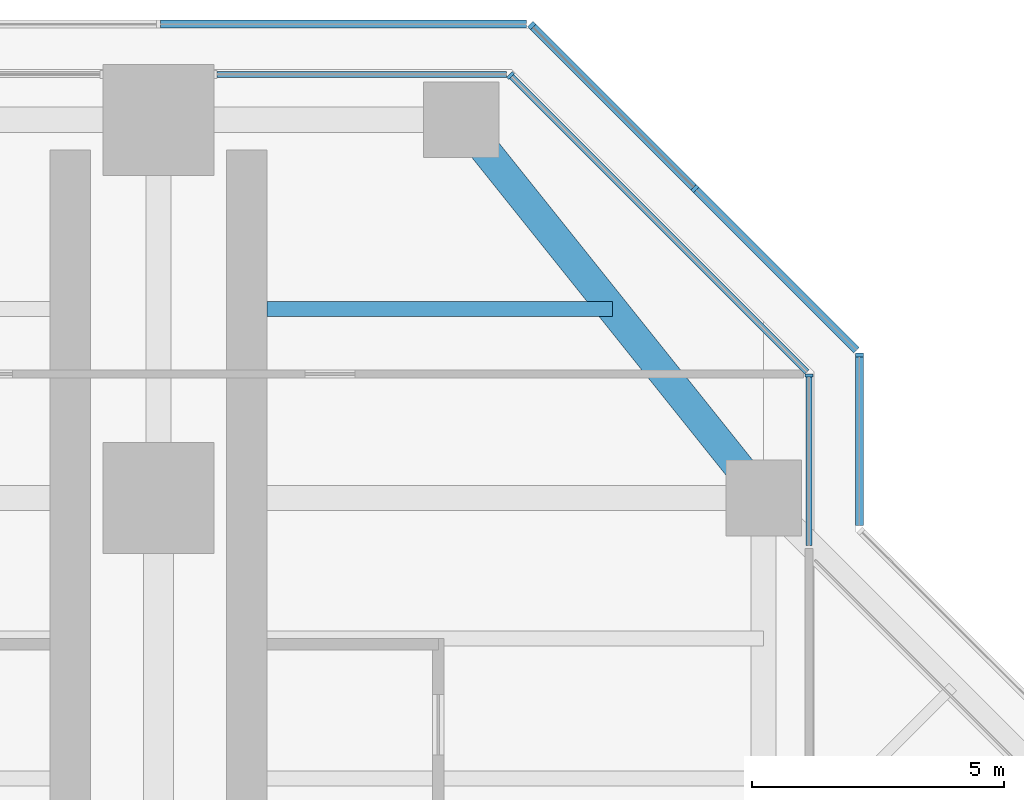
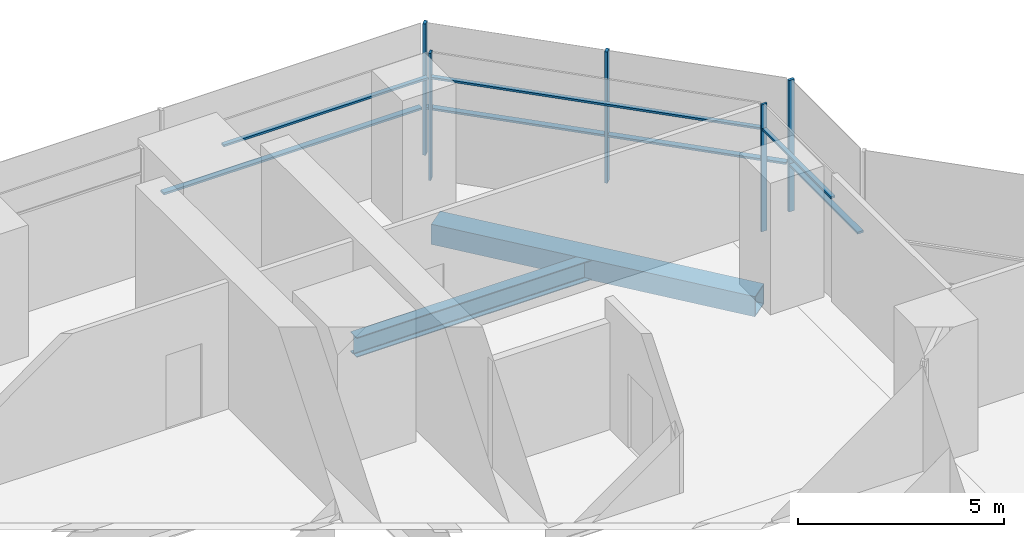
# One storey, part 9 of 17: 12 members, 2 beams, 6 elements without a shape of their own.
"""IFC4 building model written with IfcOpenShell, lengths in metres."""

from ifc_helpers import new_model, si_unit, direction, frame, origin, origin_2d, place, context, subcontext, project, spatial, rectangle, hollow_rectangle, i_section, extrude, material, material_profile, profile_set, type_object, element, aggregate, save


model = new_model("IFC4")

# Units and contexts
model_context = context("Model", 3, precision=1e-05, world=origin(), true_north=direction((0.0, 1.0)))
body_context = subcontext(model_context, "Body", "Model", "MODEL_VIEW")
ifc_project = project(units=[si_unit("LENGTHUNIT", "METRE"), si_unit("AREAUNIT", "SQUARE_METRE"), si_unit("VOLUMEUNIT", "CUBIC_METRE"), si_unit("PLANEANGLEUNIT", "RADIAN"), si_unit("MASSUNIT", "GRAM", prefix="KILO")], contexts=[model_context])

# Site, building, storey
site_placement = place(None, origin())
site = spatial("IfcSite", under=ifc_project, at=site_placement, CompositionType="ELEMENT")
building_placement = place(site_placement, origin())
building = spatial("IfcBuilding", under=site, at=building_placement, Name="Mizan Broadcast Tower", CompositionType="ELEMENT")
storey_placement = place(building_placement, frame((0.0, 0.0, 232.199951171875)))
storey = spatial("IfcBuildingStorey", under=building, at=storey_placement, Name="L54", CompositionType="ELEMENT", Elevation=232.199951171875)

# Beam
ifc_material_1 = material(Name="Steel S355", Category="steel")
ifc_material_profile_1 = material_profile(ifc_material_1, hollow_rectangle(XDim=0.60009765625, YDim=0.60009765625, WallThickness=0.030029296875, at=origin_2d()), Name="BOX 600x600x30")
ifc_profile_set_1 = profile_set([ifc_material_profile_1], Name="Steel S355")
beam_type_1 = type_object("IfcBeamType", Name="EDGE BEAM BOX 600x600x30", PredefinedType="SPANDREL", material=ifc_profile_set_1)
beam_1_placement = place(storey_placement, frame((11.639892578125, 19.949951171875, -0.429931640625), z_axis=(-0.624673911726, 0.780885717636, 0.0), x_axis=(-0.780885717636, -0.624673911726, 0.0)))
element("IfcBeam", 1, at=beam_1_placement, inside=storey, type_object=beam_type_1, Name="Edge beam BOX 600x600x30 L54 north arm", PredefinedType="SPANDREL", context=body_context, shape_type="SweptSolid", body=[
    extrude(hollow_rectangle(XDim=0.60009765625, YDim=0.60009765625, WallThickness=0.030029296875, at=origin_2d()), origin(), (0.0, 0.0, 1.0), 8.4521484375),
])

# Curtain wall, member
ifc_material_2 = material(Name="Aluminium framed glazing", Category="aluminium")
curtain_wall_type_1 = type_object("IfcCurtainWallType", Name="INNER SKIN HIGH ZONE", PredefinedType="USERDEFINED", material=ifc_material_2)
curtain_wall_1_placement = place(storey_placement, origin())
curtain_wall_1 = element("IfcCurtainWall", 2, at=curtain_wall_1_placement, inside=storey, type_object=curtain_wall_type_1, Name="Inner skin high zone L54 N side", ObjectType="INNER SKIN HIGH ZONE", PredefinedType="USERDEFINED")
ifc_material_3 = material(Name="Aluminium, pale anodised", Category="aluminium")
ifc_material_profile_2 = material_profile(ifc_material_3, rectangle(XDim=0.159912109375, YDim=0.06005859375, at=origin_2d()), Name="MULLION 160x60")
ifc_profile_set_2 = profile_set([ifc_material_profile_2], Name="Aluminium, pale anodised")
member_type_1 = type_object("IfcMemberType", Name="INNER SKIN MULLION 60x160", PredefinedType="MULLION", material=ifc_profile_set_2)
member_1_placement = place(storey_placement, frame((12.89990234375, 21.928466796875, 0.0), z_axis=(0.0, 0.0, 1.0), x_axis=(-1.0, 0.0, 0.0)))
member_1 = element("IfcMember", 3, at=member_1_placement, type_object=member_type_1, Name="Inner skin high zone L54 N side mullion 2", PredefinedType="MULLION", context=body_context, shape_type="SweptSolid", body=[
    extrude(rectangle(XDim=0.159912109375, YDim=0.06005859375, at=origin_2d()), origin(), (0.0, 0.0, 1.0), 3.77001953125),
])

curtain_wall_2_placement = place(storey_placement, origin())
curtain_wall_2 = element("IfcCurtainWall", 4, at=curtain_wall_2_placement, inside=storey, type_object=curtain_wall_type_1, Name="Inner skin high zone L54 N chamfer", ObjectType="INNER SKIN HIGH ZONE", PredefinedType="USERDEFINED")
member_2_placement = place(storey_placement, frame((6.979736328125, 27.87890625, 0.0), z_axis=(0.0, 0.0, 1.0), x_axis=(-0.707106781187, -0.707106781187, 0.0)))
member_2 = element("IfcMember", 5, at=member_2_placement, type_object=member_type_1, Name="Inner skin high zone L54 N chamfer mullion 2", PredefinedType="MULLION", context=body_context, shape_type="SweptSolid", body=[
    extrude(rectangle(XDim=0.159912109375, YDim=0.06005859375, at=origin_2d()), origin(), (0.0, 0.0, 1.0), 3.77001953125),
])

# Member
ifc_material_4 = material(Name="Aluminium, pale anodised", Category="aluminium")
ifc_material_profile_3 = material_profile(ifc_material_4, rectangle(XDim=0.1201171875, YDim=0.06005859375, at=origin_2d()), Name="TRANSOM 120x60")
ifc_profile_set_3 = profile_set([ifc_material_profile_3], Name="Aluminium, pale anodised")
member_type_2 = type_object("IfcMemberType", Name="INNER SKIN TRANSOM 60x120", PredefinedType="USERDEFINED", material=ifc_profile_set_3)
member_3_placement = place(storey_placement, frame((12.89990234375, 18.56005859375, 3.030029296875), z_axis=(0.0, 1.0, 0.0), x_axis=(-1.0, 0.0, 0.0)))
member_3 = element("IfcMember", 6, at=member_3_placement, type_object=member_type_2, Name="Inner skin high zone L54 N side transom 1.1", ObjectType="TRANSOM", PredefinedType="USERDEFINED", context=body_context, shape_type="SweptSolid", body=[
    extrude(rectangle(XDim=0.1201171875, YDim=0.06005859375, at=origin_2d()), origin(), (0.0, 0.0, 1.0), 3.338623046875),
])

aggregate(curtain_wall_1, [member_1, member_3])

member_4_placement = place(storey_placement, frame((12.857666015625, 22.0009765625, 3.030029296875), z_axis=(-0.707106781187, 0.707106781187, 0.0), x_axis=(-0.707106781187, -0.707106781187, 0.0)))
member_4 = element("IfcMember", 7, at=member_4_placement, type_object=member_type_2, Name="Inner skin high zone L54 N chamfer transom 1.1", ObjectType="TRANSOM", PredefinedType="USERDEFINED", context=body_context, shape_type="SweptSolid", body=[
    extrude(rectangle(XDim=0.1201171875, YDim=0.06005859375, at=origin_2d()), origin(), (0.0, 0.0, 1.0), 8.28271484375),
])

aggregate(curtain_wall_2, [member_2, member_4])

# Curtain wall, member
curtain_wall_3_placement = place(storey_placement, origin())
curtain_wall_3 = element("IfcCurtainWall", 8, at=curtain_wall_3_placement, inside=storey, type_object=curtain_wall_type_1, Name="Inner skin high zone L54 N end", ObjectType="INNER SKIN HIGH ZONE", PredefinedType="USERDEFINED")
member_5_placement = place(storey_placement, frame((6.898681640625, 27.89990234375, 3.030029296875), z_axis=(-1.0, 0.0, 0.0), x_axis=(0.0, -1.0, 0.0)))
member_5 = element("IfcMember", 9, at=member_5_placement, type_object=member_type_2, Name="Inner skin high zone L54 N end transom 1.1", ObjectType="TRANSOM", PredefinedType="USERDEFINED", context=body_context, shape_type="SweptSolid", body=[
    extrude(rectangle(XDim=0.1201171875, YDim=0.06005859375, at=origin_2d()), origin(), (0.0, 0.0, 1.0), 5.73876953125),
])
aggregate(curtain_wall_3, [member_5])

ifc_material_5 = material(Name="Aluminium framed glazing", Category="aluminium")
curtain_wall_type_2 = type_object("IfcCurtainWallType", Name="OUTER SKIN", PredefinedType="USERDEFINED", material=ifc_material_5)
curtain_wall_4_placement = place(storey_placement, origin())
curtain_wall_4 = element("IfcCurtainWall", 10, at=curtain_wall_4_placement, inside=storey, type_object=curtain_wall_type_2, Name="Outer skin L54 N side", ObjectType="OUTER SKIN", PredefinedType="USERDEFINED")
ifc_material_6 = material(Name="Aluminium, pale anodised", Category="aluminium")
ifc_material_profile_4 = material_profile(ifc_material_6, rectangle(XDim=0.159912109375, YDim=0.080078125, at=origin_2d()), Name="MULLION 160x80")
ifc_profile_set_4 = profile_set([ifc_material_profile_4], Name="Aluminium, pale anodised")
member_type_3 = type_object("IfcMemberType", Name="OUTER SKIN MULLION 80x160", PredefinedType="MULLION", material=ifc_profile_set_4)
member_6_placement = place(storey_placement, frame((13.89990234375, 22.332763671875, 0.0), z_axis=(0.0, 0.0, 1.0), x_axis=(-1.0, 0.0, 0.0)))
member_6 = element("IfcMember", 11, at=member_6_placement, type_object=member_type_3, Name="Outer skin L54 N side mullion 2", PredefinedType="MULLION", context=body_context, shape_type="SweptSolid", body=[
    extrude(rectangle(XDim=0.159912109375, YDim=0.080078125, at=origin_2d()), origin(), (0.0, 0.0, 1.0), 3.900146484375),
])

# Curtain wall, members
curtain_wall_5_placement = place(storey_placement, origin())
curtain_wall_5 = element("IfcCurtainWall", 12, at=curtain_wall_5_placement, inside=storey, type_object=curtain_wall_type_2, Name="Outer skin L54 N chamfer", ObjectType="OUTER SKIN", PredefinedType="USERDEFINED")
member_7_placement = place(storey_placement, frame((10.636474609375, 25.636474609375, 0.0), z_axis=(0.0, 0.0, 1.0), x_axis=(-0.707106781187, -0.707106781187, 0.0)))
member_7 = element("IfcMember", 13, at=member_7_placement, type_object=member_type_3, Name="Outer skin L54 N chamfer mullion 2", PredefinedType="MULLION", context=body_context, shape_type="SweptSolid", body=[
    extrude(rectangle(XDim=0.159912109375, YDim=0.080078125, at=origin_2d()), origin(), (0.0, 0.0, 1.0), 3.900146484375),
])
member_8_placement = place(storey_placement, frame((7.401123046875, 28.871826171875, 0.0), z_axis=(0.0, 0.0, 1.0), x_axis=(-0.707106781187, -0.707106781187, 0.0)))
member_8 = element("IfcMember", 14, at=member_8_placement, type_object=member_type_3, Name="Outer skin L54 N chamfer mullion 3", PredefinedType="MULLION", context=body_context, shape_type="SweptSolid", body=[
    extrude(rectangle(XDim=0.159912109375, YDim=0.080078125, at=origin_2d()), origin(), (0.0, 0.0, 1.0), 3.900146484375),
])

# Member
ifc_material_7 = material(Name="Aluminium, pale anodised", Category="aluminium")
ifc_material_profile_5 = material_profile(ifc_material_7, rectangle(XDim=0.159912109375, YDim=0.06005859375, at=origin_2d()), Name="TRANSOM 160x60")
ifc_profile_set_5 = profile_set([ifc_material_profile_5], Name="Aluminium, pale anodised")
member_type_4 = type_object("IfcMemberType", Name="OUTER SKIN TRANSOM 60x160", PredefinedType="USERDEFINED", material=ifc_profile_set_5)
member_9_placement = place(storey_placement, frame((13.89990234375, 18.952880859375, 1.400146484375), z_axis=(0.0, 1.0, 0.0), x_axis=(-1.0, 0.0, 0.0)))
member_9 = element("IfcMember", 15, at=member_9_placement, type_object=member_type_4, Name="Outer skin L54 N side transom 1.1", ObjectType="TRANSOM", PredefinedType="USERDEFINED", context=body_context, shape_type="SweptSolid", body=[
    extrude(rectangle(XDim=0.159912109375, YDim=0.06005859375, at=origin_2d()), origin(), (0.0, 0.0, 1.0), 3.33984375),
])

aggregate(curtain_wall_4, [member_6, member_9])

member_10_placement = place(storey_placement, frame((13.843505859375, 22.429443359375, 1.400146484375), z_axis=(-0.707106781187, 0.707106781187, 0.0), x_axis=(-0.707106781187, -0.707106781187, 0.0)))
member_10 = element("IfcMember", 16, at=member_10_placement, type_object=member_type_4, Name="Outer skin L54 N chamfer transom 1.1", ObjectType="TRANSOM", PredefinedType="USERDEFINED", context=body_context, shape_type="SweptSolid", body=[
    extrude(rectangle(XDim=0.159912109375, YDim=0.06005859375, at=origin_2d()), origin(), (0.0, 0.0, 1.0), 4.495361328125),
])

member_11_placement = place(storey_placement, frame((10.608154296875, 25.664794921875, 1.400146484375), z_axis=(-0.707106781187, 0.707106781187, 0.0), x_axis=(-0.707106781187, -0.707106781187, 0.0)))
member_11 = element("IfcMember", 17, at=member_11_placement, type_object=member_type_4, Name="Outer skin L54 N chamfer transom 2.1", ObjectType="TRANSOM", PredefinedType="USERDEFINED", context=body_context, shape_type="SweptSolid", body=[
    extrude(rectangle(XDim=0.159912109375, YDim=0.06005859375, at=origin_2d()), origin(), (0.0, 0.0, 1.0), 4.495361328125),
])

aggregate(curtain_wall_5, [member_7, member_8, member_10, member_11])

# Curtain wall, member
curtain_wall_6_placement = place(storey_placement, origin())
curtain_wall_6 = element("IfcCurtainWall", 18, at=curtain_wall_6_placement, inside=storey, type_object=curtain_wall_type_2, Name="Outer skin L54 N end", ObjectType="OUTER SKIN", PredefinedType="USERDEFINED")
member_12_placement = place(storey_placement, frame((7.292724609375, 28.89990234375, 1.400146484375), z_axis=(-1.0, 0.0, 0.0), x_axis=(0.0, -1.0, 0.0)))
member_12 = element("IfcMember", 19, at=member_12_placement, type_object=member_type_4, Name="Outer skin L54 N end transom 1.1", ObjectType="TRANSOM", PredefinedType="USERDEFINED", context=body_context, shape_type="SweptSolid", body=[
    extrude(rectangle(XDim=0.159912109375, YDim=0.06005859375, at=origin_2d()), origin(), (0.0, 0.0, 1.0), 7.252685546875),
])
aggregate(curtain_wall_6, [member_12])

# Beam
ifc_material_8 = material(Name="Steel S355", Category="steel")
ifc_material_profile_6 = material_profile(ifc_material_8, i_section(OverallWidth=0.300048828125, OverallDepth=0.590087890625, WebThickness=0.012939453125, FlangeThickness=0.02490234375, FilletRadius=0.027099609375, at=origin_2d()), Name="HEA 600")
ifc_profile_set_6 = profile_set([ifc_material_profile_6], Name="Steel S355")
beam_type_2 = type_object("IfcBeamType", Name="SECONDARY BEAM HEA 600", PredefinedType="JOIST", material=ifc_profile_set_6)
beam_2_placement = place(storey_placement, frame((9.0, 23.25, -0.425048828125), z_axis=(-1.0, 0.0, 0.0), x_axis=(0.0, -1.0, 0.0)))
element("IfcBeam", 20, at=beam_2_placement, inside=storey, type_object=beam_type_2, Name="Secondary beam HEA 600 L54 north arm", PredefinedType="JOIST", context=body_context, shape_type="SweptSolid", body=[
    extrude(i_section(OverallWidth=0.300048828125, OverallDepth=0.590087890625, WebThickness=0.012939453125, FlangeThickness=0.02490234375, FilletRadius=0.027099609375, at=origin_2d()), origin(), (0.0, 0.0, 1.0), 6.85009765625),
])

save(model, "model.ifc")
